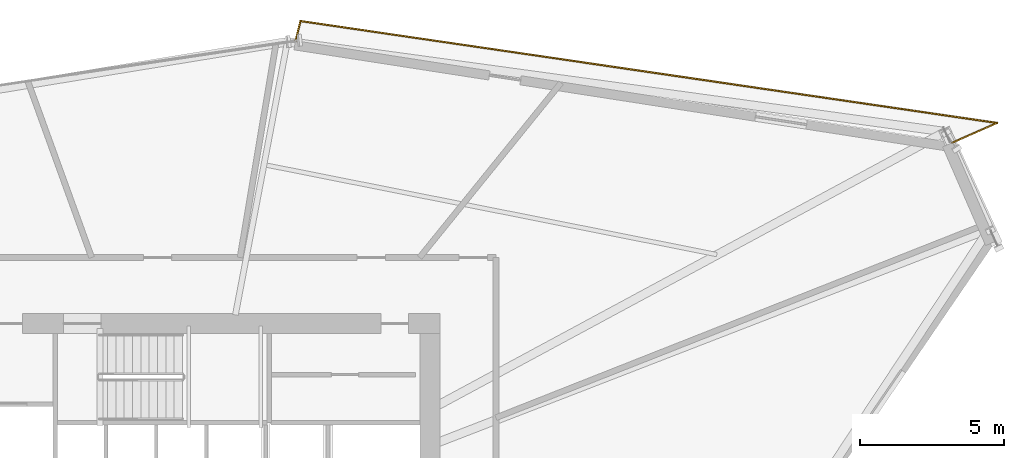
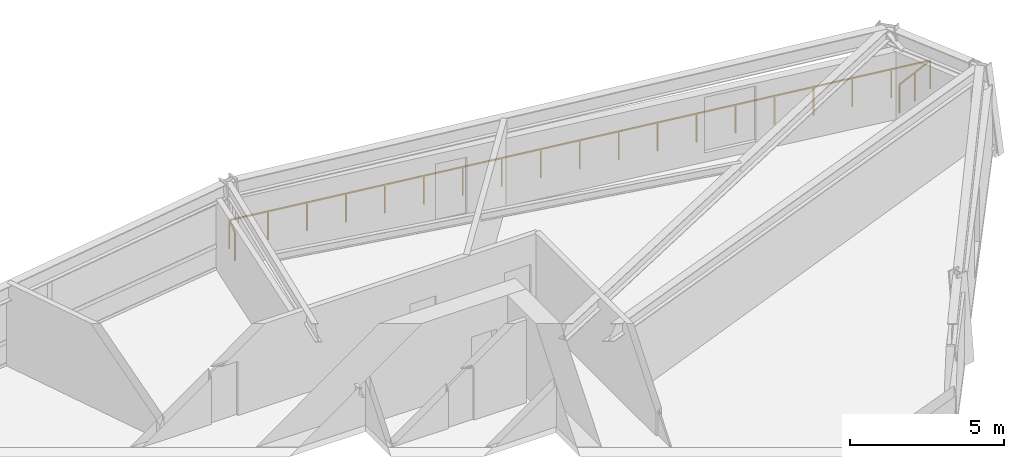
# One storey, part 14 of 14: 1 railing.
"""IFC4 building model written with IfcOpenShell, lengths in metres."""

from ifc_helpers import new_model, si_unit, direction, frame, origin, origin_2d, place, context, subcontext, project, spatial, rectangle, extrude, material, type_object, element, save


model = new_model("IFC4")

# Units and contexts
model_context = context("Model", 3, precision=1e-05, world=origin(), true_north=direction((0.0, 1.0)))
body_context = subcontext(model_context, "Body", "Model", "MODEL_VIEW")
ifc_project = project(units=[si_unit("LENGTHUNIT", "METRE"), si_unit("AREAUNIT", "SQUARE_METRE"), si_unit("VOLUMEUNIT", "CUBIC_METRE"), si_unit("PLANEANGLEUNIT", "RADIAN"), si_unit("MASSUNIT", "GRAM", prefix="KILO")], contexts=[model_context])

# Site, building, storey
site_placement = place(None, origin())
site = spatial("IfcSite", under=ifc_project, at=site_placement, CompositionType="ELEMENT")
building_placement = place(site_placement, origin())
building = spatial("IfcBuilding", under=site, at=building_placement, Name="Olszyna Solenne Hotel", CompositionType="ELEMENT")
storey_placement = place(building_placement, frame((0.0, 0.0, 130.550048828125)))
storey = spatial("IfcBuildingStorey", under=building, at=storey_placement, Name="L34", CompositionType="ELEMENT", Elevation=130.550048828125)

# Railing
ifc_material = material(Name="Anodised bronze aluminium", Category="aluminium")
railing_type = type_object("IfcRailingType", Name="GR-110", PredefinedType="BALUSTRADE", material=ifc_material)
railing_placement = place(storey_placement, frame((64.459228515625, 40.353515625, 0.0)))
element("IfcRailing", 1, at=railing_placement, inside=storey, type_object=railing_type, Name="Loggia balcony balustrade guard GR-L34-LG1", PredefinedType="BALUSTRADE", context=body_context, shape_type="SweptSolid", body=[
    extrude(rectangle(XDim=0.048095703125, YDim=0.048095703125, at=origin_2d()), frame((0.0, 0.0, 1.1259765625), z_axis=(0.914814332315, 0.403874655544, 0.0), x_axis=(-0.403874655544, 0.914814332315, 0.0)), (0.0, 0.0, 1.0), 1.69189453125),
    extrude(rectangle(XDim=0.048095703125, YDim=0.048095703125, at=origin_2d()), frame((1.5478515625, 0.683349609375, 1.1259765625), z_axis=(-0.989461690339, 0.144794900986, 0.0), x_axis=(-0.144794900986, -0.989461690339, 0.0)), (0.0, 0.0, 1.0), 24.52294921875),
    extrude(rectangle(XDim=0.048095703125, YDim=0.048095703125, at=origin_2d()), frame((-22.716552734375, 4.234130859375, 1.1259765625), z_axis=(-0.249170162608, -0.968459720415, 0.0), x_axis=(0.968459720415, -0.249170162608, 0.0)), (0.0, 0.0, 1.0), 0.70947265625),
    extrude(rectangle(XDim=0.0419921875, YDim=0.0419921875, at=origin_2d()), origin(), (0.0, 0.0, 1.0), 1.101806640625),
    extrude(rectangle(XDim=0.0419921875, YDim=0.0419921875, at=origin_2d()), frame((0.77392578125, 0.341796875, 0.0)), (0.0, 0.0, 1.0), 1.101806640625),
    extrude(rectangle(XDim=0.0419921875, YDim=0.0419921875, at=origin_2d()), frame((1.5478515625, 0.683349609375, 0.0)), (0.0, 0.0, 1.0), 1.101806640625),
    extrude(rectangle(XDim=0.0419921875, YDim=0.0419921875, at=origin_2d()), frame((0.19970703125, 0.880615234375, 0.0)), (0.0, 0.0, 1.0), 1.101806640625),
    extrude(rectangle(XDim=0.0419921875, YDim=0.0419921875, at=origin_2d()), frame((-1.148193359375, 1.077880859375, 0.0)), (0.0, 0.0, 1.0), 1.101806640625),
    extrude(rectangle(XDim=0.0419921875, YDim=0.0419921875, at=origin_2d()), frame((-2.49609375, 1.275146484375, 0.0)), (0.0, 0.0, 1.0), 1.101806640625),
    extrude(rectangle(XDim=0.0419921875, YDim=0.0419921875, at=origin_2d()), frame((-3.84423828125, 1.472412109375, 0.0)), (0.0, 0.0, 1.0), 1.101806640625),
    extrude(rectangle(XDim=0.0419921875, YDim=0.0419921875, at=origin_2d()), frame((-5.1923828125, 1.669677734375, 0.0)), (0.0, 0.0, 1.0), 1.101806640625),
    extrude(rectangle(XDim=0.0419921875, YDim=0.0419921875, at=origin_2d()), frame((-6.540283203125, 1.866943359375, 0.0)), (0.0, 0.0, 1.0), 1.101806640625),
    extrude(rectangle(XDim=0.0419921875, YDim=0.0419921875, at=origin_2d()), frame((-7.88818359375, 2.064208984375, 0.0)), (0.0, 0.0, 1.0), 1.101806640625),
    extrude(rectangle(XDim=0.0419921875, YDim=0.0419921875, at=origin_2d()), frame((-9.236328125, 2.261474609375, 0.0)), (0.0, 0.0, 1.0), 1.101806640625),
    extrude(rectangle(XDim=0.0419921875, YDim=0.0419921875, at=origin_2d()), frame((-10.58447265625, 2.458740234375, 0.0)), (0.0, 0.0, 1.0), 1.101806640625),
    extrude(rectangle(XDim=0.0419921875, YDim=0.0419921875, at=origin_2d()), frame((-11.932373046875, 2.656005859375, 0.0)), (0.0, 0.0, 1.0), 1.101806640625),
    extrude(rectangle(XDim=0.0419921875, YDim=0.0419921875, at=origin_2d()), frame((-13.280517578125, 2.853271484375, 0.0)), (0.0, 0.0, 1.0), 1.101806640625),
    extrude(rectangle(XDim=0.0419921875, YDim=0.0419921875, at=origin_2d()), frame((-14.62841796875, 3.050537109375, 0.0)), (0.0, 0.0, 1.0), 1.101806640625),
    extrude(rectangle(XDim=0.0419921875, YDim=0.0419921875, at=origin_2d()), frame((-15.9765625, 3.247802734375, 0.0)), (0.0, 0.0, 1.0), 1.101806640625),
    extrude(rectangle(XDim=0.0419921875, YDim=0.0419921875, at=origin_2d()), frame((-17.324462890625, 3.445068359375, 0.0)), (0.0, 0.0, 1.0), 1.101806640625),
    extrude(rectangle(XDim=0.0419921875, YDim=0.0419921875, at=origin_2d()), frame((-18.67236328125, 3.642333984375, 0.0)), (0.0, 0.0, 1.0), 1.101806640625),
    extrude(rectangle(XDim=0.0419921875, YDim=0.0419921875, at=origin_2d()), frame((-20.0205078125, 3.839599609375, 0.0)), (0.0, 0.0, 1.0), 1.101806640625),
    extrude(rectangle(XDim=0.0419921875, YDim=0.0419921875, at=origin_2d()), frame((-21.36865234375, 4.036865234375, 0.0)), (0.0, 0.0, 1.0), 1.101806640625),
    extrude(rectangle(XDim=0.0419921875, YDim=0.0419921875, at=origin_2d()), frame((-22.716552734375, 4.234130859375, 0.0)), (0.0, 0.0, 1.0), 1.101806640625),
    extrude(rectangle(XDim=0.0419921875, YDim=0.0419921875, at=origin_2d()), frame((-22.893310546875, 3.547119140625, 0.0)), (0.0, 0.0, 1.0), 1.101806640625),
])

save(model, "model.ifc")
